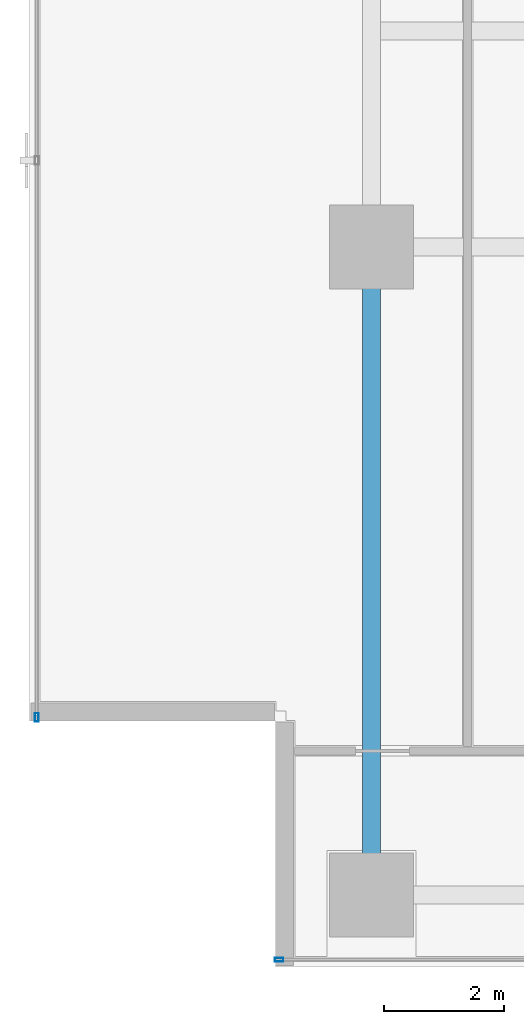
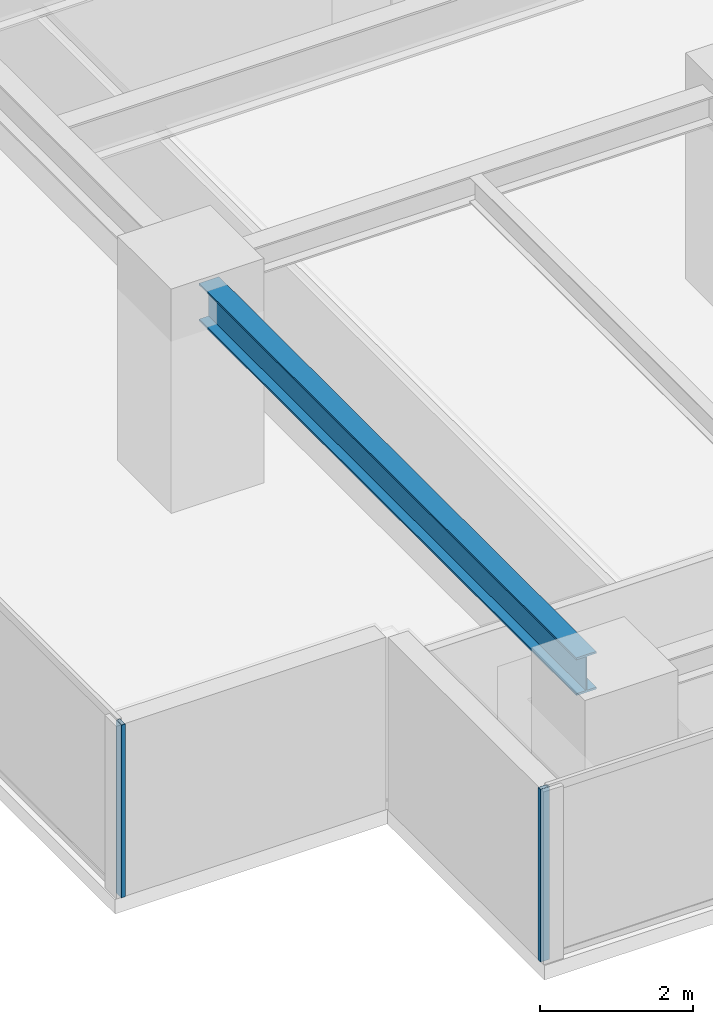
# One storey, part 2 of 25: 2 members, 1 beam, 2 elements without a shape of their own.
"""IFC4 building model written with IfcOpenShell, lengths in metres."""

from ifc_helpers import new_model, si_unit, direction, frame, origin, origin_2d, place, context, subcontext, project, spatial, hollow_rectangle, i_section, extrude, source, transform, mapped, material, layer, layer_set, material_profile, profile_set, type_object, element, aggregate, save


model = new_model("IFC4")

# Units and contexts
model_context = context("Model", 3, precision=1e-05, world=origin(), true_north=direction((0.0, 1.0)))
body_context = subcontext(model_context, "Body", "Model", "MODEL_VIEW")
ifc_project = project(units=[si_unit("LENGTHUNIT", "METRE"), si_unit("AREAUNIT", "SQUARE_METRE"), si_unit("VOLUMEUNIT", "CUBIC_METRE"), si_unit("PLANEANGLEUNIT", "RADIAN"), si_unit("MASSUNIT", "GRAM", prefix="KILO")], contexts=[model_context])

# Site, building, storey
site_placement = place(None, origin())
site = spatial("IfcSite", under=ifc_project, at=site_placement, CompositionType="ELEMENT")
building_placement = place(site_placement, origin())
building = spatial("IfcBuilding", under=site, at=building_placement, Name="Sumidabori Civic Tower", CompositionType="ELEMENT")
storey_placement = place(building_placement, frame((0.0, 0.0, 232.39990234375)))
storey = spatial("IfcBuildingStorey", under=building, at=storey_placement, Name="L60", CompositionType="ELEMENT", Elevation=232.39990234375)

# Beam
ifc_material_1 = material(Name="Steel SN490", Category="steel")
ifc_material_profile_1 = material_profile(ifc_material_1, i_section(OverallWidth=0.300048828125, OverallDepth=0.60009765625, WebThickness=0.015380859375, FlangeThickness=0.030029296875, at=origin_2d()), Name="HE 600 B")
ifc_profile_set_1 = profile_set([ifc_material_profile_1], Name="Steel SN490")
beam_type = type_object("IfcBeamType", Name="BM-GIRD-600", PredefinedType="BEAM", material=ifc_profile_set_1)
shared_shape_1 = source(origin(), body_context, "Body", "SweptSolid", [
    extrude(i_section(OverallWidth=0.300048828125, OverallDepth=0.60009765625, WebThickness=0.015380859375, FlangeThickness=0.030029296875, at=origin_2d()), origin(), (0.0, 0.0, 1.0), 9.840087890625),
])
beam_placement = place(storey_placement, frame((-16.800048828125, -10.320068359375, 3.070068359375), z_axis=(0.0, 1.0, 0.0), x_axis=(-1.0, 0.0, 0.0)))
element("IfcBeam", 1, at=beam_placement, inside=storey, type_object=beam_type, Name="Primary Girder L60 GY-09", PredefinedType="BEAM", context=body_context, shape_type="MappedRepresentation", body=[
    mapped(shared_shape_1, transform((0.0, 0.0, 0.0), x_axis=(1.0, 0.0, 0.0), y_axis=(0.0, 1.0, 0.0), z_axis=(0.0, 0.0, 1.0), scale=1.0)),
])

# Curtain wall, member
ifc_material_2 = material(Name="Anodised Bronze Aluminium AW-6063-T6", Category="aluminium")
ifc_layer = layer(ifc_material_2, 0.179931640625, Name="Anodised Bronze Aluminium AW-6063-T6")
ifc_layer_set = layer_set([ifc_layer], Name="Anodised Bronze Aluminium AW-6063-T6")
curtain_wall_type = type_object("IfcCurtainWallType", Name="CW-SYS-5", PredefinedType="NOTDEFINED", material=ifc_layer_set)
curtain_wall_1_placement = place(storey_placement, origin())
curtain_wall_1 = element("IfcCurtainWall", 2, at=curtain_wall_1_placement, inside=storey, type_object=curtain_wall_type, Name="Curtain Wall CW:L60:R01", PredefinedType="NOTDEFINED")
ifc_material_profile_2 = material_profile(ifc_material_2, hollow_rectangle(XDim=0.06005859375, YDim=0.139892578125, WallThickness=0.0048828125, at=origin_2d()), Name="ALU MULLION 140x60")
ifc_profile_set_2 = profile_set([ifc_material_profile_2], Name="Anodised Bronze Aluminium AW-6063-T6")
member_type = type_object("IfcMemberType", Name="CW-MUL-140", PredefinedType="MULLION", material=ifc_profile_set_2)
shared_shape_2 = source(origin(), body_context, "Body", "SweptSolid", [
    extrude(hollow_rectangle(XDim=0.06005859375, YDim=0.139892578125, WallThickness=0.0048828125, at=origin_2d()), origin(), (0.0, 0.0, 1.0), 2.75),
])
member_1_placement = place(storey_placement, frame((-18.340087890625, -11.8798828125, 0.0), z_axis=(0.0, 0.0, 1.0), x_axis=(0.0, 1.0, 0.0)))
member_1 = element("IfcMember", 3, at=member_1_placement, type_object=member_type, Name="CW-5 mullion 1", PredefinedType="MULLION", context=body_context, shape_type="MappedRepresentation", body=[
    mapped(shared_shape_2, transform((0.0, 0.0, 0.0), x_axis=(1.0, 0.0, 0.0), y_axis=(0.0, 1.0, 0.0), z_axis=(0.0, 0.0, 1.0), scale=1.0)),
])
aggregate(curtain_wall_1, [member_1])

curtain_wall_2_placement = place(storey_placement, origin())
curtain_wall_2 = element("IfcCurtainWall", 4, at=curtain_wall_2_placement, inside=storey, type_object=curtain_wall_type, Name="Curtain Wall CW:L60:R10", PredefinedType="NOTDEFINED")
member_2_placement = place(storey_placement, frame((-22.3798828125, -7.840087890625, 0.0), z_axis=(0.0, 0.0, 1.0), x_axis=(1.0, 0.0, 0.0)))
member_2 = element("IfcMember", 5, at=member_2_placement, type_object=member_type, Name="CW-5 mullion 4", PredefinedType="MULLION", context=body_context, shape_type="MappedRepresentation", body=[
    mapped(shared_shape_2, transform((0.0, 0.0, 0.0), x_axis=(1.0, 0.0, 0.0), y_axis=(0.0, 1.0, 0.0), z_axis=(0.0, 0.0, 1.0), scale=1.0)),
])
aggregate(curtain_wall_2, [member_2])

save(model, "model.ifc")
